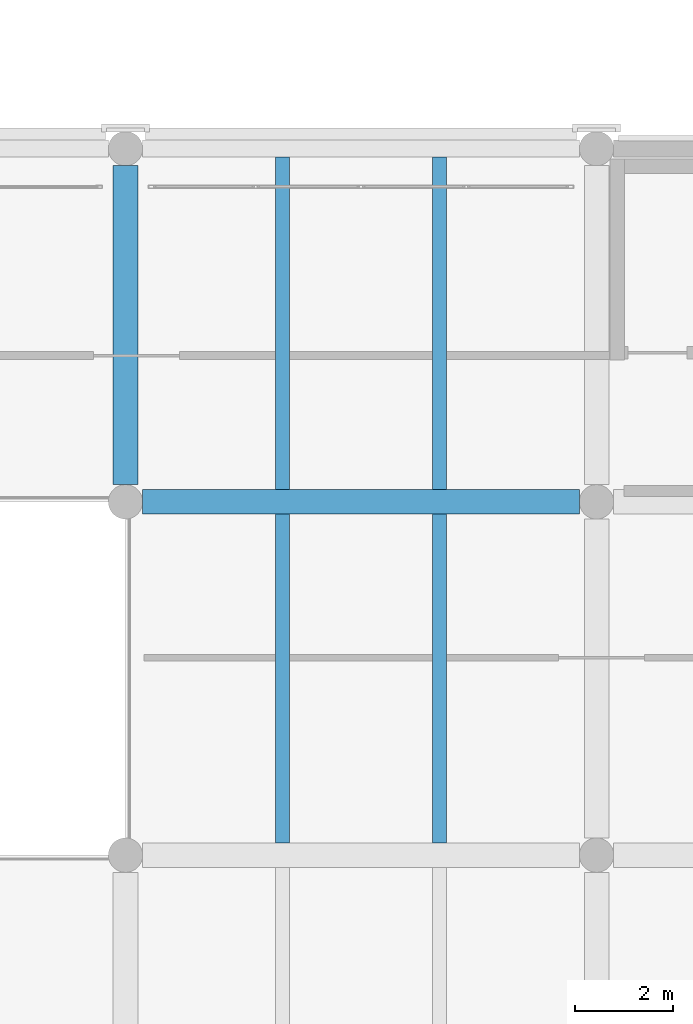
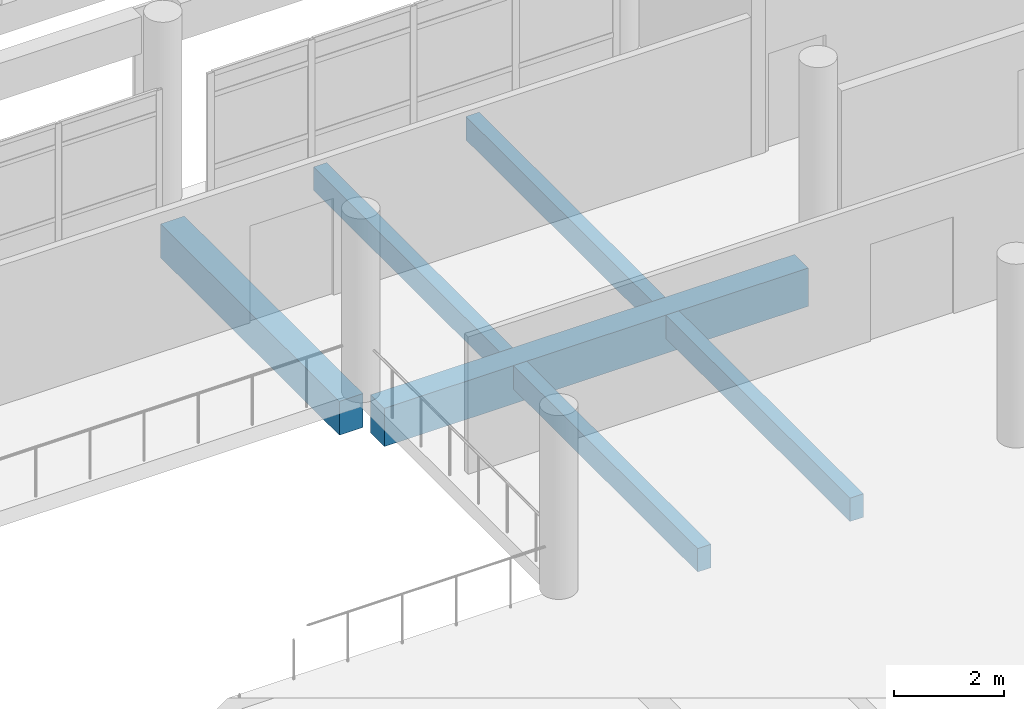
# One storey, part 27 of 180: 6 beams.
"""IFC4 building model written with IfcOpenShell, lengths in metres."""

from ifc_helpers import new_model, si_unit, direction, frame, origin, origin_2d, place, context, subcontext, project, spatial, rectangle, extrude, material, material_profile, profile_set, type_object, element, save


model = new_model("IFC4")

# Units and contexts
model_context = context("Model", 3, precision=1e-05, world=origin(), true_north=direction((0.0, 1.0)))
body_context = subcontext(model_context, "Body", "Model", "MODEL_VIEW")
ifc_project = project(units=[si_unit("LENGTHUNIT", "METRE"), si_unit("AREAUNIT", "SQUARE_METRE"), si_unit("VOLUMEUNIT", "CUBIC_METRE"), si_unit("PLANEANGLEUNIT", "RADIAN"), si_unit("MASSUNIT", "GRAM", prefix="KILO")], contexts=[model_context])

# Site, building, storey
site_placement = place(None, origin())
site = spatial("IfcSite", under=ifc_project, at=site_placement, CompositionType="ELEMENT")
building_placement = place(site_placement, origin())
building = spatial("IfcBuilding", under=site, at=building_placement, Name="Asteropetra Specialist Clinic", CompositionType="ELEMENT")
storey_placement = place(building_placement, frame((0.0, 0.0, 4.419921875)))
storey = spatial("IfcBuildingStorey", under=building, at=storey_placement, Name="L01", CompositionType="ELEMENT", Elevation=4.419921875)

# Beams
ifc_material_1 = material(Name="Concrete C35/45", Category="concrete")
ifc_material_profile_1 = material_profile(ifc_material_1, rectangle(XDim=0.5, YDim=0.75, at=origin_2d()), Name="RCB 500x750")
ifc_profile_set_1 = profile_set([ifc_material_profile_1], Name="Concrete C35/45")
beam_type_1 = type_object("IfcBeamType", Name="BM-RC500x750", PredefinedType="BEAM", material=ifc_profile_set_1)
beam_1_placement = place(storey_placement, frame((38.39990234375, 19.550048828125, -0.71484375), z_axis=(0.0, 1.0, 0.0), x_axis=(-1.0, 0.0, 0.0)))
element("IfcBeam", 1, at=beam_1_placement, inside=storey, type_object=beam_type_1, Name="Beam BBM04-0302", PredefinedType="BEAM", context=body_context, shape_type="SweptSolid", body=[
    extrude(rectangle(XDim=0.5, YDim=0.75, at=origin_2d()), origin(), (0.0, 0.0, 1.0), 6.5),
])
ifc_material_2 = material(Name="Concrete C35/45", Category="concrete")
ifc_material_profile_2 = material_profile(ifc_material_2, rectangle(XDim=0.5, YDim=0.85009765625, at=origin_2d()), Name="RCB 500x850")
ifc_profile_set_2 = profile_set([ifc_material_profile_2], Name="Concrete C35/45")
beam_type_2 = type_object("IfcBeamType", Name="BM-RC500x850", PredefinedType="BEAM", material=ifc_profile_set_2)
beam_2_placement = place(storey_placement, frame((38.75, 19.199951171875, -0.764892578125), z_axis=(1.0, 0.0, 0.0), x_axis=(0.0, 1.0, 0.0)))
element("IfcBeam", 2, at=beam_2_placement, inside=storey, type_object=beam_type_2, Name="Beam BBM03-0244", PredefinedType="BEAM", context=body_context, shape_type="SweptSolid", body=[
    extrude(rectangle(XDim=0.5, YDim=0.85009765625, at=origin_2d()), origin(), (0.0, 0.0, 1.0), 8.89990234375),
])
ifc_material_3 = material(Name="Concrete C35/45", Category="concrete")
ifc_material_profile_3 = material_profile(ifc_material_3, rectangle(XDim=0.280029296875, YDim=0.52001953125, at=origin_2d()), Name="RCJ 280x520")
ifc_profile_set_3 = profile_set([ifc_material_profile_3], Name="Concrete C35/45")
beam_type_3 = type_object("IfcBeamType", Name="JST-RC280x520", PredefinedType="JOIST", material=ifc_profile_set_3)
for number, where, z_axis, x_axis, name in (
    (3, (41.60009765625, 12.25, -0.599853515625), (0.0, 1.0, 0.0), (-1.0, 0.0, 0.0), "Joist JJST01-0294"),
    (4, (44.800048828125, 12.25, -0.599853515625), (0.0, 1.0, 0.0), (-1.0, 0.0, 0.0), "Joist JJST01-0295"),
):
    element("IfcBeam", number, at=place(storey_placement, frame(where, z_axis=z_axis, x_axis=x_axis)), inside=storey, type_object=beam_type_3, Name=name, PredefinedType="JOIST", context=body_context, shape_type="SweptSolid", body=[
        extrude(rectangle(XDim=0.280029296875, YDim=0.52001953125, at=origin_2d()), origin(), (0.0, 0.0, 1.0), 6.699951171875),
    ])
for number, where, z_axis, x_axis, name in (
    (5, (41.60009765625, 19.449951171875, -0.599853515625), (0.0, 1.0, 0.0), (-1.0, 0.0, 0.0), "Joist JJST01-0307"),
    (6, (44.800048828125, 19.449951171875, -0.599853515625), (0.0, 1.0, 0.0), (-1.0, 0.0, 0.0), "Joist JJST01-0308"),
):
    element("IfcBeam", number, at=place(storey_placement, frame(where, z_axis=z_axis, x_axis=x_axis)), inside=storey, type_object=beam_type_3, Name=name, PredefinedType="JOIST", context=body_context, shape_type="SweptSolid", body=[
        extrude(rectangle(XDim=0.280029296875, YDim=0.52001953125, at=origin_2d()), origin(), (0.0, 0.0, 1.0), 6.775146484375),
    ])

save(model, "model.ifc")
